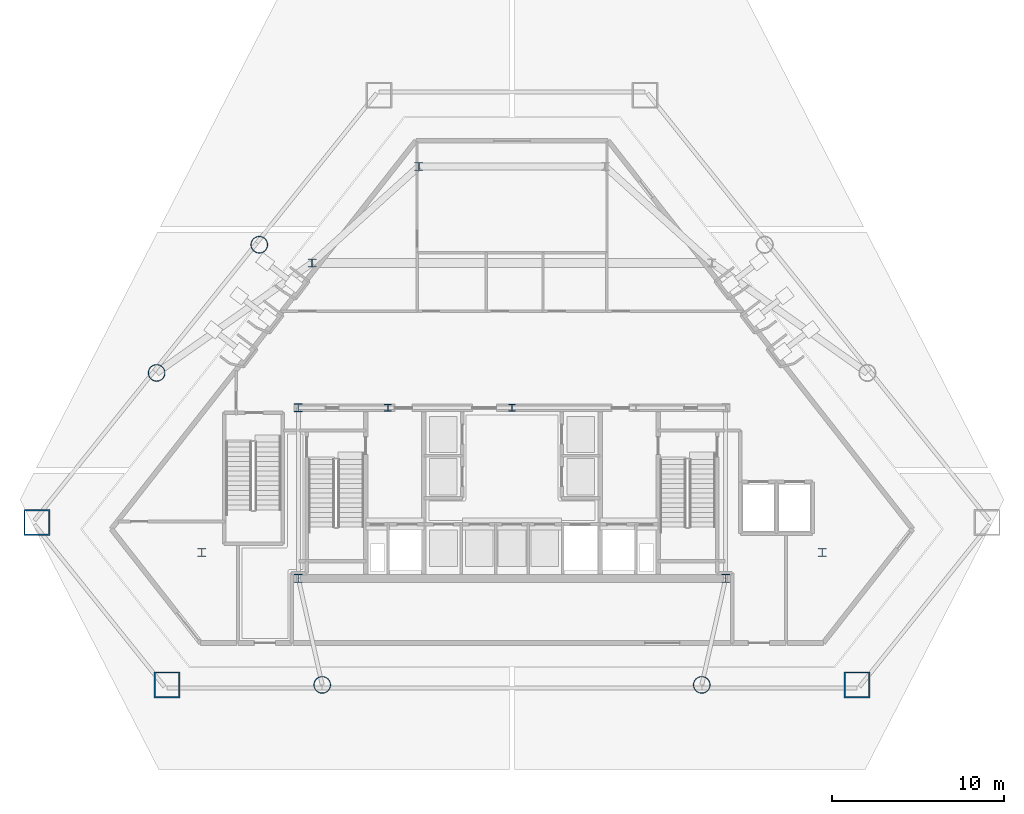
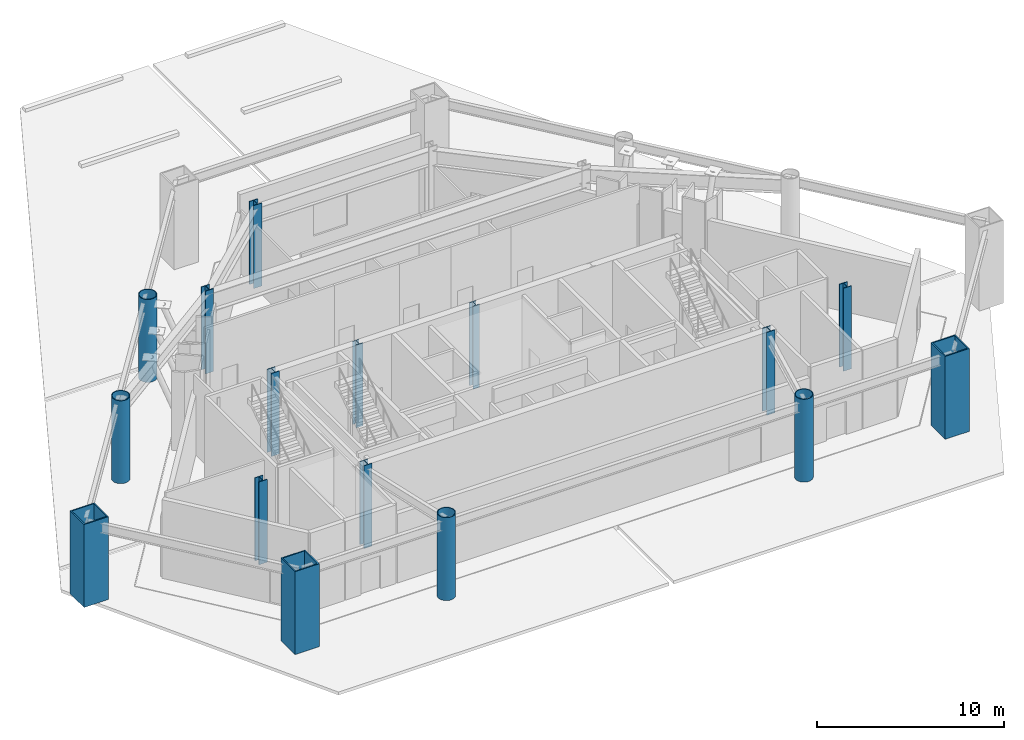
# One storey, part 1 of 9: 16 columns.
"""IFC4 building model written with IfcOpenShell, lengths in metres."""

from ifc_helpers import new_model, si_unit, direction, frame, origin, origin_2d, place, context, subcontext, project, spatial, hollow_rectangle, hollow_circle, i_section, extrude, material, material_profile, profile_set, type_object, element, save


model = new_model("IFC4")

# Units and contexts
model_context = context("Model", 3, precision=1e-05, world=origin(), true_north=direction((0.0, 1.0)))
body_context = subcontext(model_context, "Body", "Model", "MODEL_VIEW")
ifc_project = project(units=[si_unit("LENGTHUNIT", "METRE"), si_unit("AREAUNIT", "SQUARE_METRE"), si_unit("VOLUMEUNIT", "CUBIC_METRE"), si_unit("PLANEANGLEUNIT", "RADIAN"), si_unit("MASSUNIT", "GRAM", prefix="KILO")], contexts=[model_context])

# Site, building, storey
site_placement = place(None, origin())
site = spatial("IfcSite", under=ifc_project, at=site_placement, CompositionType="ELEMENT")
building_placement = place(site_placement, origin())
building = spatial("IfcBuilding", under=site, at=building_placement, Name="Talgorran Terracotta Tower", CompositionType="ELEMENT")
storey_placement = place(building_placement, origin())
storey = spatial("IfcBuildingStorey", under=building, at=storey_placement, Name="L00", CompositionType="ELEMENT", Elevation=0.0)

# Columns
ifc_material_1 = material(Name="Steel S355 (300PLUS)", Category="steel")
ifc_material_profile_1 = material_profile(ifc_material_1, i_section(OverallWidth=0.5, OverallDepth=0.48193359375, WebThickness=0.0400390625, FlangeThickness=0.044921875, at=origin_2d()), Name="500WC440")
ifc_profile_set_1 = profile_set([ifc_material_profile_1], Name="Steel S355 (300PLUS)")
column_type_1 = type_object("IfcColumnType", Name="COL_500WC440", PredefinedType="COLUMN", material=ifc_profile_set_1)
for number, where, z_axis, x_axis, name in (
    (1, (-12.39990234375, -14.10009765625, 0.0), (0.0, 0.0, 1.0), (1.0, 0.0, 0.0), "L00 Core Boundary Column CC1"),
    (2, (12.39990234375, -14.10009765625, 0.0), (0.0, 0.0, 1.0), (1.0, 0.0, 0.0), "L00 Core Boundary Column CC2"),
    (3, (-12.39990234375, -4.199951171875, 0.0), (0.0, 0.0, 1.0), (1.0, 0.0, 0.0), "L00 Core Boundary Column CC4"),
    (4, (-18.0, -12.60009765625, 0.0), (0.0, 0.0, 1.0), (1.0, 0.0, 0.0), "L00 Podium Column PC1"),
    (5, (18.0, -12.60009765625, 0.0), (0.0, 0.0, 1.0), (1.0, 0.0, 0.0), "L00 Podium Column PC2"),
    (6, (-11.60009765625, 4.199951171875, 0.0), (0.0, 0.0, 1.0), (1.0, 0.0, 0.0), "L00 Podium Column PC3"),
    (7, (-5.39990234375, 9.800048828125, 0.0), (0.0, 0.0, 1.0), (1.0, 0.0, 0.0), "L00 Podium Column PC5"),
):
    element("IfcColumn", number, at=place(storey_placement, frame(where, z_axis=z_axis, x_axis=x_axis)), inside=storey, type_object=column_type_1, Name=name, PredefinedType="COLUMN", context=body_context, shape_type="SweptSolid", body=[
        extrude(i_section(OverallWidth=0.5, OverallDepth=0.48193359375, WebThickness=0.0400390625, FlangeThickness=0.044921875, at=origin_2d()), origin(), (0.0, 0.0, 1.0), 5.39990234375),
    ])
ifc_material_2 = material(Name="Steel Grade 350 (350L0)", Category="steel")
ifc_material_profile_2 = material_profile(ifc_material_2, hollow_rectangle(XDim=1.5, YDim=1.5, WallThickness=0.074951171875, at=origin_2d()), Name="CFT1500X1500X75")
ifc_profile_set_2 = profile_set([ifc_material_profile_2], Name="Steel Grade 350 (350L0)")
column_type_2 = type_object("IfcColumnType", Name="COL_CFT_1500", PredefinedType="COLUMN", material=ifc_profile_set_2)
for number, where, z_axis, x_axis, name in (
    (8, (-27.56982421875, -10.85595703125, 0.0), (0.0, 0.0, 1.0), (1.0, 0.0, 0.0), "L00 Corner CFT Mega-Column MC1"),
    (9, (-20.022216796875, -20.280029296875, 0.0), (0.0, 0.0, 1.0), (1.0, 0.0, 0.0), "L00 Corner CFT Mega-Column MC2"),
    (10, (20.022216796875, -20.280029296875, 0.0), (0.0, 0.0, 1.0), (1.0, 0.0, 0.0), "L00 Corner CFT Mega-Column MC3"),
):
    element("IfcColumn", number, at=place(storey_placement, frame(where, z_axis=z_axis, x_axis=x_axis)), inside=storey, type_object=column_type_2, Name=name, PredefinedType="COLUMN", context=body_context, shape_type="SweptSolid", body=[
        extrude(hollow_rectangle(XDim=1.5, YDim=1.5, WallThickness=0.074951171875, at=origin_2d()), origin(), (0.0, 0.0, 1.0), 5.39990234375),
    ])
ifc_material_profile_3 = material_profile(ifc_material_2, hollow_circle(Radius=0.5, WallThickness=0.044921875, at=origin_2d()), Name="CHS1000X45")
ifc_profile_set_3 = profile_set([ifc_material_profile_3], Name="Steel Grade 350 (350L0)")
column_type_3 = type_object("IfcColumnType", Name="COL_CHS_1000", PredefinedType="COLUMN", material=ifc_profile_set_3)
for number, where, z_axis, x_axis, name in (
    (11, (-11.01220703125, -20.280029296875, 0.0), (0.0, 0.0, 1.0), (1.0, 0.0, 0.0), "L00 Facet Perimeter Column FC1"),
    (12, (11.01220703125, -20.280029296875, 0.0), (0.0, 0.0, 1.0), (1.0, 0.0, 0.0), "L00 Facet Perimeter Column FC2"),
    (13, (-14.663818359375, 5.2587890625, 0.0), (0.0, 0.0, 1.0), (1.0, 0.0, 0.0), "L00 Facet Perimeter Column FC5"),
    (14, (-20.620361328125, -2.1787109375, 0.0), (0.0, 0.0, 1.0), (1.0, 0.0, 0.0), "L00 Facet Perimeter Column FC6"),
):
    element("IfcColumn", number, at=place(storey_placement, frame(where, z_axis=z_axis, x_axis=x_axis)), inside=storey, type_object=column_type_3, Name=name, PredefinedType="COLUMN", context=body_context, shape_type="SweptSolid", body=[
        extrude(hollow_circle(Radius=0.5, WallThickness=0.044921875, at=origin_2d()), origin(), (0.0, 0.0, 1.0), 5.39990234375),
    ])
ifc_material_profile_4 = material_profile(ifc_material_1, i_section(OverallWidth=0.405029296875, OverallDepth=0.4140625, WebThickness=0.02197265625, FlangeThickness=0.031982421875, at=origin_2d()), Name="400WC270")
ifc_profile_set_4 = profile_set([ifc_material_profile_4], Name="Steel S355 (300PLUS)")
column_type_4 = type_object("IfcColumnType", Name="COL_PIL_400WC270", PredefinedType="PILASTER", material=ifc_profile_set_4)
for number, where, z_axis, x_axis, name in (
    (15, (-7.199951171875, -4.199951171875, 0.0), (0.0, 0.0, 1.0), (1.0, 0.0, 0.0), "L00 Core Shear Pilaster CP1"),
    (16, (0.0, -4.199951171875, 0.0), (0.0, 0.0, 1.0), (1.0, 0.0, 0.0), "L00 Core Shear Pilaster CP2"),
):
    element("IfcColumn", number, at=place(storey_placement, frame(where, z_axis=z_axis, x_axis=x_axis)), inside=storey, type_object=column_type_4, Name=name, PredefinedType="PILASTER", context=body_context, shape_type="SweptSolid", body=[
        extrude(i_section(OverallWidth=0.405029296875, OverallDepth=0.4140625, WebThickness=0.02197265625, FlangeThickness=0.031982421875, at=origin_2d()), origin(), (0.0, 0.0, 1.0), 5.39990234375),
    ])

save(model, "model.ifc")
